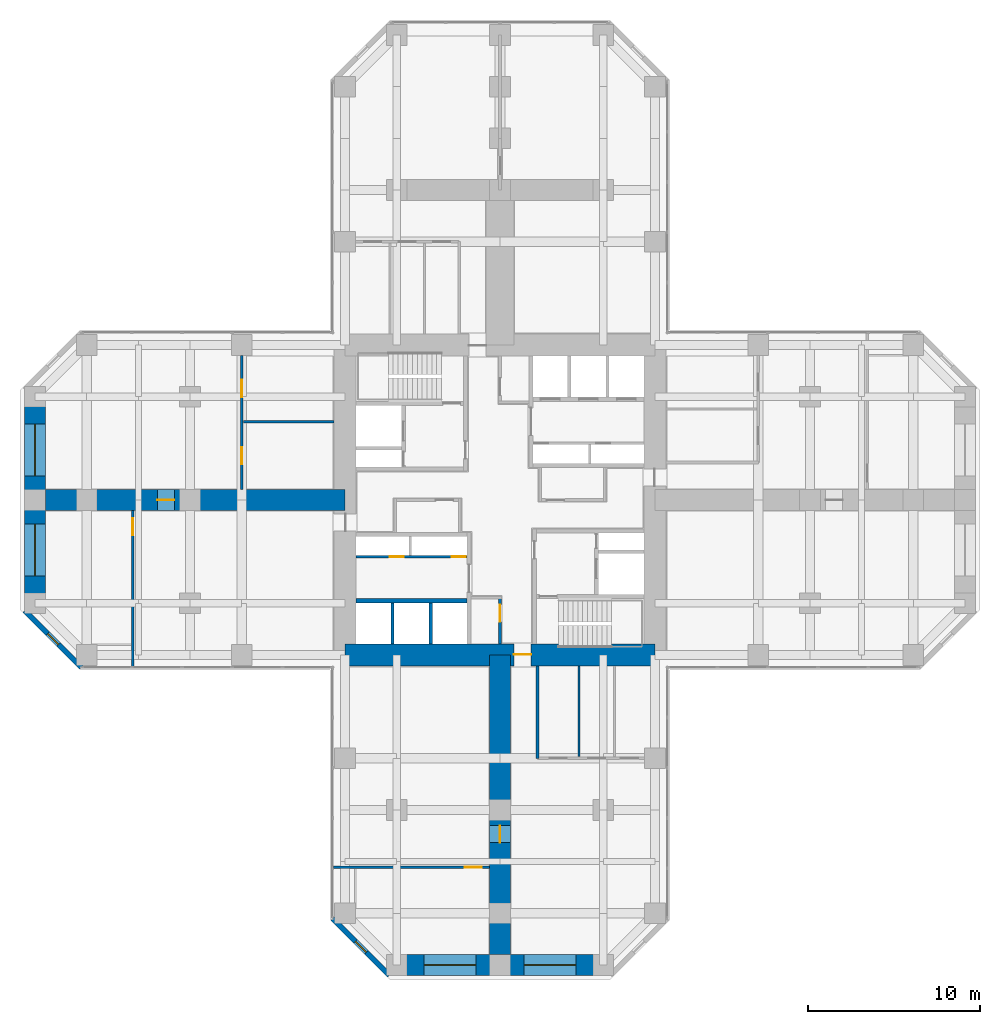
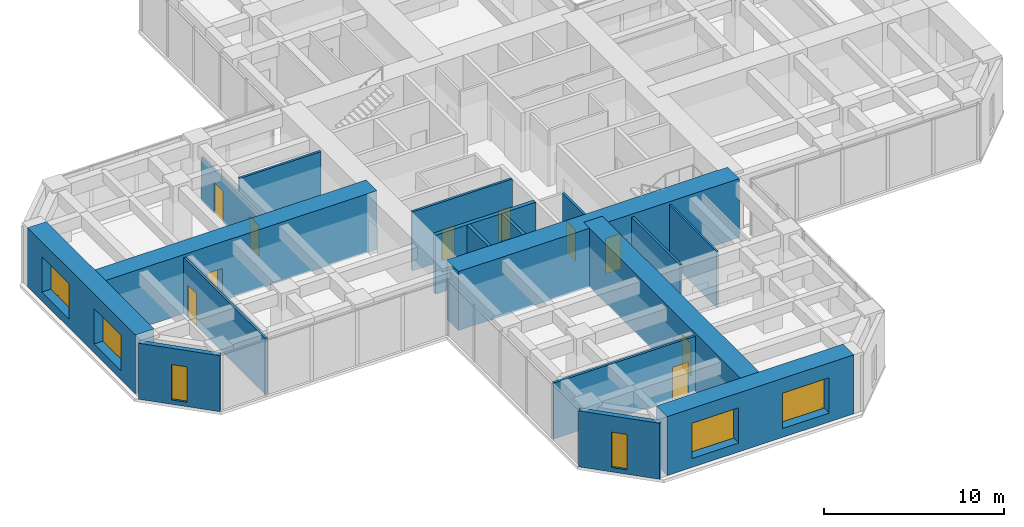
# One storey, part 8 of 12: 18 walls, 10 doors, 6 windows, 16 openings.
"""IFC4 building model written with IfcOpenShell, lengths in metres."""

from ifc_helpers import new_model, si_unit, direction, frame, frame_2d, origin, place, context, subcontext, project, spatial, rectangle, hollow_rectangle, extrude, material, layer, layer_set, constituent, constituent_set, type_object, element, fill, save


model = new_model("IFC4")

# Units and contexts
model_context = context("Model", 3, precision=1e-05, world=origin(), true_north=direction((0.0, 1.0)))
body_context = subcontext(model_context, "Body", "Model", "MODEL_VIEW")
ifc_project = project(units=[si_unit("LENGTHUNIT", "METRE"), si_unit("AREAUNIT", "SQUARE_METRE"), si_unit("VOLUMEUNIT", "CUBIC_METRE"), si_unit("PLANEANGLEUNIT", "RADIAN"), si_unit("MASSUNIT", "GRAM", prefix="KILO")], contexts=[model_context])

# Site, building, storey
site_placement = place(None, origin())
site = spatial("IfcSite", under=ifc_project, at=site_placement, CompositionType="ELEMENT")
building_placement = place(site_placement, origin())
building = spatial("IfcBuilding", under=site, at=building_placement, Name="Torre Cruceta", CompositionType="ELEMENT")
storey_placement = place(building_placement, frame((0.0, 0.0, 67.5)))
storey = spatial("IfcBuildingStorey", under=building, at=storey_placement, Name="L16", CompositionType="ELEMENT", Elevation=67.5)

# Wall
ifc_material_1 = material(Name="Concrete G60 (fck 60 MPa)", Category="concrete")
ifc_layer_1 = layer(ifc_material_1, 0.25)
ifc_layer_set_1 = layer_set([ifc_layer_1], Name="Concrete G60 (fck 60 MPa)")
wall_type_1 = type_object("IfcWallType", Name="CORE INNER WALL 250 G60", PredefinedType="SHEAR", material=ifc_layer_set_1)
wall_1_placement = place(storey_placement, frame((-1.925048828125, -5.85009765625, 0.0), z_axis=(0.0, 0.0, 1.0), x_axis=(-1.0, 0.0, 0.0)))
element("IfcWall", 1, at=wall_1_placement, inside=storey, type_object=wall_type_1, Name="CW4 L16 SW-LV", PredefinedType="SHEAR", context=body_context, shape_type="SweptSolid", body=[
    extrude(rectangle(XDim=6.425048828125, YDim=0.25, at=frame_2d((3.21240234375, 0.0))), origin(), (0.0, 0.0, 1.0), 4.0),
])

# Wall, opening, door
ifc_material_2 = material(Name="Concrete G60 (fck 60 MPa)", Category="concrete")
ifc_layer_2 = layer(ifc_material_2, 1.300048828125)
ifc_layer_set_2 = layer_set([ifc_layer_2], Name="Concrete G60 (fck 60 MPa)")
wall_type_2 = type_object("IfcWallType", Name="CORE WALL 1300 G60", PredefinedType="SHEAR", material=ifc_layer_set_2)
wall_2_placement = place(storey_placement, frame((-9.0, -9.0, 0.0), z_axis=(0.0, 0.0, 1.0), x_axis=(1.0, 0.0, 0.0)))
wall_2 = element("IfcWall", 2, at=wall_2_placement, inside=storey, type_object=wall_type_2, Name="CW1 L16 CW-S", PredefinedType="SHEAR", context=body_context, shape_type="SweptSolid", body=[
    extrude(rectangle(XDim=18.0, YDim=1.300048828125, at=frame_2d((9.0, 0.0))), origin(), (0.0, 0.0, 1.0), 4.0),
])
opening_1_placement = place(wall_2_placement, frame((9.800048828125, 0.0, 0.0)))
opening_1 = element("IfcOpeningElement", 3, at=opening_1_placement, cuts=wall_2, Name="Opening D4", PredefinedType="OPENING", context=body_context, shape_type="SweptSolid", body=[
    extrude(rectangle(XDim=1.0, YDim=2.39990234375, at=frame_2d((0.5, 1.199951171875))), frame((0.0, 0.659912109375, 0.0), z_axis=(0.0, -1.0, 0.0), x_axis=(1.0, 0.0, 0.0)), (0.0, 0.0, 1.0), 1.320068359375),
])
ifc_material_3 = material(Name="Steel DX51D", Category="steel")
ifc_constituent_1 = constituent(ifc_material_3, Name="Leaf and frame")
ifc_material_4 = material(Name="Polyester powder coating", Category="paint")
ifc_constituent_2 = constituent(ifc_material_4, Name="Finish")
ifc_constituent_set_1 = constituent_set(constituents=[ifc_constituent_1, ifc_constituent_2], Name="Steel fire door")
door_type_1 = type_object("IfcDoorType", Name="CORE ARM DOOR 1000X2400", OperationType="SINGLE_SWING_RIGHT", PredefinedType="DOOR", material=ifc_constituent_set_1)
door_1_placement = place(opening_1_placement, frame((1.0, 0.0, 0.0), z_axis=(0.0, 0.0, 1.0), x_axis=(-1.0, 0.0, 0.0)))
door_1 = element("IfcDoor", 4, at=door_1_placement, inside=storey, type_object=door_type_1, Name="D4 L16 CW-S", OperationType="SINGLE_SWING_RIGHT", OverallHeight=2.39990234375, OverallWidth=1.0, PredefinedType="DOOR", context=body_context, shape_type="SweptSolid", body=[
    extrude(rectangle(XDim=1.0, YDim=2.39990234375, at=frame_2d((0.5, 1.199951171875))), frame((0.0, -0.005126953125, 0.0), z_axis=(0.0, -1.0, 0.0), x_axis=(1.0, 0.0, 0.0)), (0.0, 0.0, 1.0), 0.050048828125),
])
fill(opening_1, door_1)

# Wall, opening, window
ifc_material_5 = material(Name="Concrete G30 (fck 30 MPa)", Category="concrete")
ifc_layer_3 = layer(ifc_material_5, 0.300048828125)
ifc_layer_set_3 = layer_set([ifc_layer_3], Name="Concrete G30 (fck 30 MPa)")
wall_type_3 = type_object("IfcWallType", Name="EXPOSED CONCRETE FACADE WALL 300", PredefinedType="SOLIDWALL", material=ifc_layer_set_3)
wall_3_placement = place(storey_placement, frame((-27.60009765625, -6.418212890625, 0.0), z_axis=(0.0, 0.0, 1.0), x_axis=(0.707106781187, -0.707106781187, 0.0)))
wall_3 = element("IfcWall", 5, at=wall_3_placement, inside=storey, type_object=wall_type_3, Name="EW1 facade wall L16 W chamfer 13", PredefinedType="SOLIDWALL", context=body_context, shape_type="SweptSolid", body=[
    extrude(rectangle(XDim=4.66943359375, YDim=0.300048828125, at=frame_2d((2.334716796875, 0.0))), origin(), (0.0, 0.0, 1.0), 3.800048828125),
])
opening_2_placement = place(wall_3_placement, frame((1.884765625, 0.0, 0.300048828125)))
opening_2 = element("IfcOpeningElement", 6, at=opening_2_placement, cuts=wall_3, Name="Opening WN5", PredefinedType="OPENING", context=body_context, shape_type="SweptSolid", body=[
    extrude(rectangle(XDim=0.89990234375, YDim=2.39990234375, at=frame_2d((0.449951171875, 1.199951171875))), frame((0.0, 0.159912109375, 0.0), z_axis=(0.0, -1.0, 0.0), x_axis=(1.0, 0.0, 0.0)), (0.0, 0.0, 1.0), 0.320068359375),
])
ifc_material_6 = material(Name="Aluminium window frame", Category="aluminium")
ifc_constituent_3 = constituent(ifc_material_6, Name="Frame")
ifc_material_7 = material(Name="Laminated insulating glass unit, low-iron clear", Category="glass")
ifc_constituent_4 = constituent(ifc_material_7, Name="Glazing")
ifc_constituent_set_2 = constituent_set(constituents=[ifc_constituent_3, ifc_constituent_4], Name="Aluminium window")
window_type_1 = type_object("IfcWindowType", Name="CHAMFER SLOT WINDOW 900X2400", PartitioningType="SINGLE_PANEL", PredefinedType="WINDOW", material=ifc_constituent_set_2)
window_1_placement = place(opening_2_placement, origin())
window_1 = element("IfcWindow", 7, at=window_1_placement, inside=storey, type_object=window_type_1, Name="WN5 L16 W 1", OverallHeight=2.39990234375, OverallWidth=0.89990234375, PartitioningType="SINGLE_PANEL", PredefinedType="WINDOW", context=body_context, shape_type="SweptSolid", body=[
    extrude(hollow_rectangle(XDim=0.89990234375, YDim=2.39990234375, WallThickness=0.06005859375, at=frame_2d((0.449951171875, 1.199951171875))), frame((0.0, 0.030029296875, 0.0), z_axis=(0.0, -1.0, 0.0), x_axis=(1.0, 0.0, 0.0)), (0.0, 0.0, 1.0), 0.06005859375),
    extrude(rectangle(XDim=0.77880859375, YDim=2.27880859375, at=frame_2d((0.449951171875, 1.199951171875))), frame((0.0, 0.030029296875, 0.0), z_axis=(0.0, -1.0, 0.0), x_axis=(1.0, 0.0, 0.0)), (0.0, 0.0, 1.0), 0.06005859375),
])
fill(opening_2, window_1)

wall_4_placement = place(storey_placement, frame((-9.719970703125, -24.29833984375, 0.0), z_axis=(0.0, 0.0, 1.0), x_axis=(0.707106781187, -0.707106781187, 0.0)))
wall_4 = element("IfcWall", 8, at=wall_4_placement, inside=storey, type_object=wall_type_3, Name="EW1 facade wall L16 S chamfer 16", PredefinedType="SOLIDWALL", context=body_context, shape_type="SweptSolid", body=[
    extrude(rectangle(XDim=4.66943359375, YDim=0.300048828125, at=frame_2d((2.334716796875, 0.0))), origin(), (0.0, 0.0, 1.0), 3.800048828125),
])
opening_3_placement = place(wall_4_placement, frame((1.884765625, 0.0, 0.300048828125)))
opening_3 = element("IfcOpeningElement", 9, at=opening_3_placement, cuts=wall_4, Name="Opening WN5", PredefinedType="OPENING", context=body_context, shape_type="SweptSolid", body=[
    extrude(rectangle(XDim=0.89990234375, YDim=2.39990234375, at=frame_2d((0.449951171875, 1.199951171875))), frame((0.0, 0.159912109375, 0.0), z_axis=(0.0, -1.0, 0.0), x_axis=(1.0, 0.0, 0.0)), (0.0, 0.0, 1.0), 0.320068359375),
])
window_2_placement = place(opening_3_placement, origin())
window_2 = element("IfcWindow", 10, at=window_2_placement, inside=storey, type_object=window_type_1, Name="WN5 L16 S 1", OverallHeight=2.39990234375, OverallWidth=0.89990234375, PartitioningType="SINGLE_PANEL", PredefinedType="WINDOW", context=body_context, shape_type="SweptSolid", body=[
    extrude(hollow_rectangle(XDim=0.89990234375, YDim=2.39990234375, WallThickness=0.06005859375, at=frame_2d((0.449951171875, 1.199951171875))), frame((0.0, 0.030029296875, 0.0), z_axis=(0.0, -1.0, 0.0), x_axis=(1.0, 0.0, 0.0)), (0.0, 0.0, 1.0), 0.06005859375),
    extrude(rectangle(XDim=0.77880859375, YDim=2.27880859375, at=frame_2d((0.449951171875, 1.199951171875))), frame((0.0, 0.030029296875, 0.0), z_axis=(0.0, -1.0, 0.0), x_axis=(1.0, 0.0, 0.0)), (0.0, 0.0, 1.0), 0.06005859375),
])
fill(opening_3, window_2)

# Walls
ifc_material_8 = material(Name="Concrete G35 (fck 35 MPa)", Category="concrete")
ifc_layer_4 = layer(ifc_material_8, 0.199951171875)
ifc_layer_set_4 = layer_set([ifc_layer_4], Name="Concrete G35 (fck 35 MPa)")
wall_type_4 = type_object("IfcWallType", Name="LIFT SHAFT WALL 200", PredefinedType="PARTITIONING", material=ifc_layer_set_4)
for number, where, z_axis, x_axis, name in (
    (11, (-4.033447265625, -5.97509765625, 0.0), (0.0, 0.0, 1.0), (0.0, -1.0, 0.0), "SW1 L16 SW-LS1"),
    (12, (-6.24169921875, -5.97509765625, 0.0), (0.0, 0.0, 1.0), (0.0, -1.0, 0.0), "SW1 L16 SW-LS2"),
):
    element("IfcWall", number, at=place(storey_placement, frame(where, z_axis=z_axis, x_axis=x_axis)), inside=storey, type_object=wall_type_4, Name=name, PredefinedType="PARTITIONING", context=body_context, shape_type="SweptSolid", body=[
        extrude(rectangle(XDim=2.375, YDim=0.199951171875, at=frame_2d((1.1875, 0.0))), origin(), (0.0, 0.0, 1.0), 4.0),
    ])

# Wall, openings, windows
ifc_material_9 = material(Name="Concrete G60 (fck 60 MPa)", Category="concrete")
ifc_layer_5 = layer(ifc_material_9, 1.199951171875)
ifc_layer_set_5 = layer_set([ifc_layer_5], Name="Concrete G60 (fck 60 MPa)")
wall_type_5 = type_object("IfcWallType", Name="NOSE WALL 1200 G60", PredefinedType="SHEAR", material=ifc_layer_set_5)
wall_5_placement = place(storey_placement, frame((-6.0, -27.0, 0.0), z_axis=(0.0, 0.0, 1.0), x_axis=(1.0, 0.0, 0.0)))
wall_5 = element("IfcWall", 13, at=wall_5_placement, inside=storey, type_object=wall_type_5, Name="NW1 nose wall L16 S", PredefinedType="SHEAR", context=body_context, shape_type="SweptSolid", body=[
    extrude(rectangle(XDim=12.0, YDim=1.199951171875, at=frame_2d((6.0, 0.0))), origin(), (0.0, 0.0, 1.0), 4.0),
])
opening_4_placement = place(wall_5_placement, frame((1.60009765625, 0.0, 0.60009765625)))
opening_4 = element("IfcOpeningElement", 14, at=opening_4_placement, cuts=wall_5, Name="Opening WN6", PredefinedType="OPENING", context=body_context, shape_type="SweptSolid", body=[
    extrude(rectangle(XDim=3.0, YDim=2.39990234375, at=frame_2d((1.5, 1.199951171875))), frame((0.0, 0.60986328125, 0.0), z_axis=(0.0, -1.0, 0.0), x_axis=(1.0, 0.0, 0.0)), (0.0, 0.0, 1.0), 1.219970703125),
])
opening_5_placement = place(wall_5_placement, frame((7.39990234375, 0.0, 0.60009765625)))
opening_5 = element("IfcOpeningElement", 15, at=opening_5_placement, cuts=wall_5, Name="Opening WN6", PredefinedType="OPENING", context=body_context, shape_type="SweptSolid", body=[
    extrude(rectangle(XDim=3.0, YDim=2.39990234375, at=frame_2d((1.5, 1.199951171875))), frame((0.0, 0.60986328125, 0.0), z_axis=(0.0, -1.0, 0.0), x_axis=(1.0, 0.0, 0.0)), (0.0, 0.0, 1.0), 1.219970703125),
])
ifc_material_10 = material(Name="Aluminium window frame", Category="aluminium")
ifc_constituent_5 = constituent(ifc_material_10, Name="Frame")
ifc_material_11 = material(Name="Laminated insulating glass unit, low-iron clear", Category="glass")
ifc_constituent_6 = constituent(ifc_material_11, Name="Glazing")
ifc_constituent_set_3 = constituent_set(constituents=[ifc_constituent_5, ifc_constituent_6], Name="Aluminium window")
window_type_2 = type_object("IfcWindowType", Name="NOSE WALL WINDOW 3000X2400", PartitioningType="SINGLE_PANEL", PredefinedType="WINDOW", material=ifc_constituent_set_3)
window_3_placement = place(opening_4_placement, origin())
window_3 = element("IfcWindow", 16, at=window_3_placement, inside=storey, type_object=window_type_2, Name="WN6 L16 S 1", OverallHeight=2.39990234375, OverallWidth=3.0, PartitioningType="SINGLE_PANEL", PredefinedType="WINDOW", context=body_context, shape_type="SweptSolid", body=[
    extrude(hollow_rectangle(XDim=3.0, YDim=2.39990234375, WallThickness=0.06005859375, at=frame_2d((1.5, 1.199951171875))), frame((0.0, 0.030029296875, 0.0), z_axis=(0.0, -1.0, 0.0), x_axis=(1.0, 0.0, 0.0)), (0.0, 0.0, 1.0), 0.06005859375),
    extrude(rectangle(XDim=2.87890625, YDim=2.27880859375, at=frame_2d((1.5, 1.199951171875))), frame((0.0, 0.030029296875, 0.0), z_axis=(0.0, -1.0, 0.0), x_axis=(1.0, 0.0, 0.0)), (0.0, 0.0, 1.0), 0.06005859375),
])
fill(opening_4, window_3)
window_4_placement = place(opening_5_placement, origin())
window_4 = element("IfcWindow", 17, at=window_4_placement, inside=storey, type_object=window_type_2, Name="WN6 L16 S 2", OverallHeight=2.39990234375, OverallWidth=3.0, PartitioningType="SINGLE_PANEL", PredefinedType="WINDOW", context=body_context, shape_type="SweptSolid", body=[
    extrude(hollow_rectangle(XDim=3.0, YDim=2.39990234375, WallThickness=0.06005859375, at=frame_2d((1.5, 1.199951171875))), frame((0.0, 0.030029296875, 0.0), z_axis=(0.0, -1.0, 0.0), x_axis=(1.0, 0.0, 0.0)), (0.0, 0.0, 1.0), 0.06005859375),
    extrude(rectangle(XDim=2.87890625, YDim=2.27880859375, at=frame_2d((1.5, 1.199951171875))), frame((0.0, 0.030029296875, 0.0), z_axis=(0.0, -1.0, 0.0), x_axis=(1.0, 0.0, 0.0)), (0.0, 0.0, 1.0), 0.06005859375),
])
fill(opening_5, window_4)

wall_6_placement = place(storey_placement, frame((-27.0, 6.0, 0.0), z_axis=(0.0, 0.0, 1.0), x_axis=(0.0, -1.0, 0.0)))
wall_6 = element("IfcWall", 18, at=wall_6_placement, inside=storey, type_object=wall_type_5, Name="NW1 nose wall L16 W", PredefinedType="SHEAR", context=body_context, shape_type="SweptSolid", body=[
    extrude(rectangle(XDim=12.0, YDim=1.199951171875, at=frame_2d((6.0, 0.0))), origin(), (0.0, 0.0, 1.0), 4.0),
])
opening_6_placement = place(wall_6_placement, frame((1.60009765625, 0.0, 0.60009765625)))
opening_6 = element("IfcOpeningElement", 19, at=opening_6_placement, cuts=wall_6, Name="Opening WN6", PredefinedType="OPENING", context=body_context, shape_type="SweptSolid", body=[
    extrude(rectangle(XDim=3.0, YDim=2.39990234375, at=frame_2d((1.5, 1.199951171875))), frame((0.0, 0.60986328125, 0.0), z_axis=(0.0, -1.0, 0.0), x_axis=(1.0, 0.0, 0.0)), (0.0, 0.0, 1.0), 1.219970703125),
])
opening_7_placement = place(wall_6_placement, frame((7.39990234375, 0.0, 0.60009765625)))
opening_7 = element("IfcOpeningElement", 20, at=opening_7_placement, cuts=wall_6, Name="Opening WN6", PredefinedType="OPENING", context=body_context, shape_type="SweptSolid", body=[
    extrude(rectangle(XDim=3.0, YDim=2.39990234375, at=frame_2d((1.5, 1.199951171875))), frame((0.0, 0.60986328125, 0.0), z_axis=(0.0, -1.0, 0.0), x_axis=(1.0, 0.0, 0.0)), (0.0, 0.0, 1.0), 1.219970703125),
])
window_5_placement = place(opening_6_placement, origin())
window_5 = element("IfcWindow", 21, at=window_5_placement, inside=storey, type_object=window_type_2, Name="WN6 L16 W 1", OverallHeight=2.39990234375, OverallWidth=3.0, PartitioningType="SINGLE_PANEL", PredefinedType="WINDOW", context=body_context, shape_type="SweptSolid", body=[
    extrude(hollow_rectangle(XDim=3.0, YDim=2.39990234375, WallThickness=0.06005859375, at=frame_2d((1.5, 1.199951171875))), frame((0.0, 0.030029296875, 0.0), z_axis=(0.0, -1.0, 0.0), x_axis=(1.0, 0.0, 0.0)), (0.0, 0.0, 1.0), 0.06005859375),
    extrude(rectangle(XDim=2.87890625, YDim=2.27880859375, at=frame_2d((1.5, 1.199951171875))), frame((0.0, 0.030029296875, 0.0), z_axis=(0.0, -1.0, 0.0), x_axis=(1.0, 0.0, 0.0)), (0.0, 0.0, 1.0), 0.06005859375),
])
fill(opening_6, window_5)
window_6_placement = place(opening_7_placement, origin())
window_6 = element("IfcWindow", 22, at=window_6_placement, inside=storey, type_object=window_type_2, Name="WN6 L16 W 2", OverallHeight=2.39990234375, OverallWidth=3.0, PartitioningType="SINGLE_PANEL", PredefinedType="WINDOW", context=body_context, shape_type="SweptSolid", body=[
    extrude(hollow_rectangle(XDim=3.0, YDim=2.39990234375, WallThickness=0.06005859375, at=frame_2d((1.5, 1.199951171875))), frame((0.0, 0.030029296875, 0.0), z_axis=(0.0, -1.0, 0.0), x_axis=(1.0, 0.0, 0.0)), (0.0, 0.0, 1.0), 0.06005859375),
    extrude(rectangle(XDim=2.87890625, YDim=2.27880859375, at=frame_2d((1.5, 1.199951171875))), frame((0.0, 0.030029296875, 0.0), z_axis=(0.0, -1.0, 0.0), x_axis=(1.0, 0.0, 0.0)), (0.0, 0.0, 1.0), 0.06005859375),
])
fill(opening_7, window_6)

# Wall, opening, door
ifc_material_12 = material(Name="Plasterboard on steel studs", Category="steel")
ifc_layer_6 = layer(ifc_material_12, 0.14990234375)
ifc_layer_set_6 = layer_set([ifc_layer_6], Name="Plasterboard on steel studs")
wall_type_6 = type_object("IfcWallType", Name="PARTITION 150", PredefinedType="PARTITIONING", material=ifc_layer_set_6)
wall_7_placement = place(storey_placement, frame((0.0, -5.675048828125, 0.0), z_axis=(0.0, 0.0, 1.0), x_axis=(0.0, -1.0, 0.0)))
wall_7 = element("IfcWall", 23, at=wall_7_placement, inside=storey, type_object=wall_type_6, Name="PT1 L16-CORE-LEGS-W-W1", PredefinedType="PARTITIONING", context=body_context, shape_type="SweptSolid", body=[
    extrude(rectangle(XDim=2.675048828125, YDim=0.14990234375, at=frame_2d((1.33740234375, 0.0))), origin(), (0.0, 0.0, 1.0), 3.800048828125),
])
opening_8_placement = place(wall_7_placement, frame((0.39990234375, 0.0, 0.0)))
opening_8 = element("IfcOpeningElement", 24, at=opening_8_placement, cuts=wall_7, Name="Opening D3", PredefinedType="OPENING", context=body_context, shape_type="SweptSolid", body=[
    extrude(rectangle(XDim=1.0, YDim=2.10009765625, at=frame_2d((0.5, 1.050048828125))), frame((0.0, 0.0849609375, 0.0), z_axis=(0.0, -1.0, 0.0), x_axis=(1.0, 0.0, 0.0)), (0.0, 0.0, 1.0), 0.169921875),
])
ifc_material_13 = material(Name="Steel DX51D", Category="steel")
ifc_constituent_7 = constituent(ifc_material_13, Name="Leaf and frame")
ifc_material_14 = material(Name="Polyester powder coating", Category="paint")
ifc_constituent_8 = constituent(ifc_material_14, Name="Finish")
ifc_constituent_set_4 = constituent_set(constituents=[ifc_constituent_7, ifc_constituent_8], Name="Steel fire door")
door_type_2 = type_object("IfcDoorType", Name="FIRE DOOR 1000X2100", OperationType="SINGLE_SWING_LEFT", PredefinedType="DOOR", material=ifc_constituent_set_4)
door_2_placement = place(opening_8_placement, frame((1.0, 0.0, 0.0), z_axis=(0.0, 0.0, 1.0), x_axis=(-1.0, 0.0, 0.0)))
door_2 = element("IfcDoor", 25, at=door_2_placement, inside=storey, type_object=door_type_2, Name="D3 L16-CORE-LEGS-W-W1-D1", OperationType="SINGLE_SWING_RIGHT", OverallHeight=2.10009765625, OverallWidth=1.0, PredefinedType="DOOR", context=body_context, shape_type="SweptSolid", body=[
    extrude(rectangle(XDim=1.0, YDim=2.10009765625, at=frame_2d((0.5, 1.050048828125))), frame((0.0, 0.025146484375, 0.0), z_axis=(0.0, -1.0, 0.0), x_axis=(1.0, 0.0, 0.0)), (0.0, 0.0, 1.0), 0.050048828125),
])
fill(opening_8, door_2)

# Wall
wall_8_placement = place(storey_placement, frame((2.175048828125, -9.64990234375, 0.0), z_axis=(0.0, 0.0, 1.0), x_axis=(0.0, -1.0, 0.0)))
element("IfcWall", 26, at=wall_8_placement, inside=storey, type_object=wall_type_6, Name="PT1 L16-S-BSL", PredefinedType="PARTITIONING", context=body_context, shape_type="SweptSolid", body=[
    extrude(rectangle(XDim=5.35009765625, YDim=0.14990234375, at=frame_2d((2.675048828125, 0.0))), origin(), (0.0, 0.0, 1.0), 3.800048828125),
])

# Wall, opening, door
wall_9_placement = place(storey_placement, frame((-9.679931640625, -21.320068359375, 0.0), z_axis=(0.0, 0.0, 1.0), x_axis=(1.0, 0.0, 0.0)))
wall_9 = element("IfcWall", 27, at=wall_9_placement, inside=storey, type_object=wall_type_6, Name="PT1 L16-S-TWR", PredefinedType="PARTITIONING", context=body_context, shape_type="SweptSolid", body=[
    extrude(rectangle(XDim=9.079833984375, YDim=0.14990234375, at=frame_2d((4.5400390625, 0.0))), origin(), (0.0, 0.0, 1.0), 3.800048828125),
])
opening_9_placement = place(wall_9_placement, frame((7.6298828125, 0.0, 0.0)))
opening_9 = element("IfcOpeningElement", 28, at=opening_9_placement, cuts=wall_9, Name="Opening D14", PredefinedType="OPENING", context=body_context, shape_type="SweptSolid", body=[
    extrude(rectangle(XDim=1.0, YDim=2.199951171875, at=frame_2d((0.5, 1.10009765625))), frame((0.0, 0.0849609375, 0.0), z_axis=(0.0, -1.0, 0.0), x_axis=(1.0, 0.0, 0.0)), (0.0, 0.0, 1.0), 0.169921875),
])
ifc_material_15 = material(Name="Steel DX51D", Category="steel")
ifc_constituent_9 = constituent(ifc_material_15, Name="Leaf and frame")
ifc_material_16 = material(Name="Polyester powder coating", Category="paint")
ifc_constituent_10 = constituent(ifc_material_16, Name="Finish")
ifc_material_17 = material(Name="Fire-resisting glass", Category="glass")
ifc_constituent_11 = constituent(ifc_material_17, Name="Vision panel")
ifc_constituent_set_5 = constituent_set(constituents=[ifc_constituent_9, ifc_constituent_10, ifc_constituent_11], Name="Steel fire door with vision panel")
door_type_3 = type_object("IfcDoorType", Name="FIRE DOOR VISION PANEL 1000X2200", OperationType="SINGLE_SWING_RIGHT", PredefinedType="DOOR", material=ifc_constituent_set_5)
door_3_placement = place(opening_9_placement, frame((1.0, 0.0, 0.0), z_axis=(0.0, 0.0, 1.0), x_axis=(-1.0, 0.0, 0.0)))
door_3 = element("IfcDoor", 29, at=door_3_placement, inside=storey, type_object=door_type_3, Name="D14 L16-S-TWR-D1", OperationType="SINGLE_SWING_LEFT", OverallHeight=2.199951171875, OverallWidth=1.0, PredefinedType="DOOR", context=body_context, shape_type="SweptSolid", body=[
    extrude(rectangle(XDim=1.0, YDim=2.199951171875, at=frame_2d((0.5, 1.10009765625))), frame((0.0, 0.025146484375, 0.0), z_axis=(0.0, -1.0, 0.0), x_axis=(1.0, 0.0, 0.0)), (0.0, 0.0, 1.0), 0.050048828125),
])
fill(opening_9, door_3)

# Wall, openings, doors
wall_10_placement = place(storey_placement, frame((-15.0, 8.39990234375, 0.0), z_axis=(0.0, 0.0, 1.0), x_axis=(0.0, -1.0, 0.0)))
wall_10 = element("IfcWall", 30, at=wall_10_placement, inside=storey, type_object=wall_type_6, Name="PT1 L16-W-BFR", PredefinedType="PARTITIONING", context=body_context, shape_type="SweptSolid", body=[
    extrude(rectangle(XDim=7.7998046875, YDim=0.14990234375, at=frame_2d((3.89990234375, 0.0))), origin(), (0.0, 0.0, 1.0), 2.949951171875),
])
opening_10_placement = place(wall_10_placement, frame((1.425048828125, 0.0, 0.0)))
opening_10 = element("IfcOpeningElement", 31, at=opening_10_placement, cuts=wall_10, Name="Opening D3", PredefinedType="OPENING", context=body_context, shape_type="SweptSolid", body=[
    extrude(rectangle(XDim=1.0, YDim=2.10009765625, at=frame_2d((0.5, 1.050048828125))), frame((0.0, 0.0849609375, 0.0), z_axis=(0.0, -1.0, 0.0), x_axis=(1.0, 0.0, 0.0)), (0.0, 0.0, 1.0), 0.169921875),
])
opening_11_placement = place(wall_10_placement, frame((5.324951171875, 0.0, 0.0)))
opening_11 = element("IfcOpeningElement", 32, at=opening_11_placement, cuts=wall_10, Name="Opening D3", PredefinedType="OPENING", context=body_context, shape_type="SweptSolid", body=[
    extrude(rectangle(XDim=1.0, YDim=2.10009765625, at=frame_2d((0.5, 1.050048828125))), frame((0.0, 0.0849609375, 0.0), z_axis=(0.0, -1.0, 0.0), x_axis=(1.0, 0.0, 0.0)), (0.0, 0.0, 1.0), 0.169921875),
])
door_4_placement = place(opening_10_placement, origin())
door_4 = element("IfcDoor", 33, at=door_4_placement, inside=storey, type_object=door_type_2, Name="D3 L16-W-BFR-D1", OperationType="SINGLE_SWING_RIGHT", OverallHeight=2.10009765625, OverallWidth=1.0, PredefinedType="DOOR", context=body_context, shape_type="SweptSolid", body=[
    extrude(rectangle(XDim=1.0, YDim=2.10009765625, at=frame_2d((0.5, 1.050048828125))), frame((0.0, 0.02490234375, 0.0), z_axis=(0.0, -1.0, 0.0), x_axis=(1.0, 0.0, 0.0)), (0.0, 0.0, 1.0), 0.050048828125),
])
fill(opening_10, door_4)
door_5_placement = place(opening_11_placement, origin())
door_5 = element("IfcDoor", 34, at=door_5_placement, inside=storey, type_object=door_type_2, Name="D3 L16-W-BFR-D2", OperationType="SINGLE_SWING_LEFT", OverallHeight=2.10009765625, OverallWidth=1.0, PredefinedType="DOOR", context=body_context, shape_type="SweptSolid", body=[
    extrude(rectangle(XDim=1.0, YDim=2.10009765625, at=frame_2d((0.5, 1.050048828125))), frame((0.0, 0.02490234375, 0.0), z_axis=(0.0, -1.0, 0.0), x_axis=(1.0, 0.0, 0.0)), (0.0, 0.0, 1.0), 0.050048828125),
])
fill(opening_11, door_5)

# Wall
wall_11_placement = place(storey_placement, frame((-9.64990234375, 4.550048828125, 0.0), z_axis=(0.0, 0.0, 1.0), x_axis=(-1.0, 0.0, 0.0)))
element("IfcWall", 35, at=wall_11_placement, inside=storey, type_object=wall_type_6, Name="PT1 L16-W-BDR1", PredefinedType="PARTITIONING", context=body_context, shape_type="SweptSolid", body=[
    extrude(rectangle(XDim=5.25, YDim=0.14990234375, at=frame_2d((2.625, 0.0))), origin(), (0.0, 0.0, 1.0), 3.800048828125),
])

# Wall, opening, door
wall_12_placement = place(storey_placement, frame((-21.320068359375, -0.60009765625, 0.0), z_axis=(0.0, 0.0, 1.0), x_axis=(0.0, -1.0, 0.0)))
wall_12 = element("IfcWall", 36, at=wall_12_placement, inside=storey, type_object=wall_type_6, Name="PT1 L16-W-TWL", PredefinedType="PARTITIONING", context=body_context, shape_type="SweptSolid", body=[
    extrude(rectangle(XDim=9.079833984375, YDim=0.14990234375, at=frame_2d((4.5400390625, 0.0))), origin(), (0.0, 0.0, 1.0), 3.800048828125),
])
opening_12_placement = place(wall_12_placement, frame((0.449951171875, 0.0, 0.0)))
opening_12 = element("IfcOpeningElement", 37, at=opening_12_placement, cuts=wall_12, Name="Opening D14", PredefinedType="OPENING", context=body_context, shape_type="SweptSolid", body=[
    extrude(rectangle(XDim=1.0, YDim=2.199951171875, at=frame_2d((0.5, 1.10009765625))), frame((0.0, 0.0849609375, 0.0), z_axis=(0.0, -1.0, 0.0), x_axis=(1.0, 0.0, 0.0)), (0.0, 0.0, 1.0), 0.169921875),
])
door_6_placement = place(opening_12_placement, frame((1.0, 0.0, 0.0), z_axis=(0.0, 0.0, 1.0), x_axis=(-1.0, 0.0, 0.0)))
door_6 = element("IfcDoor", 38, at=door_6_placement, inside=storey, type_object=door_type_3, Name="D14 L16-W-TWL-D1", OperationType="SINGLE_SWING_RIGHT", OverallHeight=2.199951171875, OverallWidth=1.0, PredefinedType="DOOR", context=body_context, shape_type="SweptSolid", body=[
    extrude(rectangle(XDim=1.0, YDim=2.199951171875, at=frame_2d((0.5, 1.10009765625))), frame((0.0, 0.025146484375, 0.0), z_axis=(0.0, -1.0, 0.0), x_axis=(1.0, 0.0, 0.0)), (0.0, 0.0, 1.0), 0.050048828125),
])
fill(opening_12, door_6)

# Wall, openings, doors
ifc_material_18 = material(Name="Concrete block masonry", Category="masonry")
ifc_layer_7 = layer(ifc_material_18, 0.14990234375)
ifc_layer_set_7 = layer_set([ifc_layer_7], Name="Concrete block masonry")
wall_type_7 = type_object("IfcWallType", Name="RISER WALL 150", PredefinedType="PARTITIONING", material=ifc_layer_set_7)
wall_13_placement = place(storey_placement, frame((-1.925048828125, -3.300048828125, 0.0), z_axis=(0.0, 0.0, 1.0), x_axis=(-1.0, 0.0, 0.0)))
wall_13 = element("IfcWall", 39, at=wall_13_placement, inside=storey, type_object=wall_type_7, Name="SW7 L16 SW-RV", PredefinedType="PARTITIONING", context=body_context, shape_type="SweptSolid", body=[
    extrude(rectangle(XDim=6.425048828125, YDim=0.14990234375, at=frame_2d((3.21240234375, 0.0))), origin(), (0.0, 0.0, 1.0), 4.0),
])
opening_13_placement = place(wall_13_placement, frame((0.074951171875, 0.0, 0.0)))
opening_13 = element("IfcOpeningElement", 40, at=opening_13_placement, cuts=wall_13, Name="Opening D5", PredefinedType="OPENING", context=body_context, shape_type="SweptSolid", body=[
    extrude(rectangle(XDim=0.800048828125, YDim=2.10009765625, at=frame_2d((0.39990234375, 1.050048828125))), frame((0.0, 0.0849609375, 0.0), z_axis=(0.0, -1.0, 0.0), x_axis=(1.0, 0.0, 0.0)), (0.0, 0.0, 1.0), 0.169921875),
])
opening_14_placement = place(wall_13_placement, frame((3.675048828125, 0.0, 0.0)))
opening_14 = element("IfcOpeningElement", 41, at=opening_14_placement, cuts=wall_13, Name="Opening D5", PredefinedType="OPENING", context=body_context, shape_type="SweptSolid", body=[
    extrude(rectangle(XDim=0.800048828125, YDim=2.10009765625, at=frame_2d((0.39990234375, 1.050048828125))), frame((0.0, 0.0849609375, 0.0), z_axis=(0.0, -1.0, 0.0), x_axis=(1.0, 0.0, 0.0)), (0.0, 0.0, 1.0), 0.169921875),
])
ifc_material_19 = material(Name="Steel DX51D", Category="steel")
ifc_constituent_12 = constituent(ifc_material_19, Name="Leaf and frame")
ifc_material_20 = material(Name="Polyester powder coating", Category="paint")
ifc_constituent_13 = constituent(ifc_material_20, Name="Finish")
ifc_constituent_set_6 = constituent_set(constituents=[ifc_constituent_12, ifc_constituent_13], Name="Steel fire door")
door_type_4 = type_object("IfcDoorType", Name="RISER ACCESS DOOR 800X2100", OperationType="SINGLE_SWING_LEFT", PredefinedType="DOOR", material=ifc_constituent_set_6)
door_7_placement = place(opening_13_placement, frame((0.800048828125, 0.0, 0.0), z_axis=(0.0, 0.0, 1.0), x_axis=(-1.0, 0.0, 0.0)))
door_7 = element("IfcDoor", 42, at=door_7_placement, inside=storey, type_object=door_type_4, Name="D5 L16 SW-RISER1", OperationType="SINGLE_SWING_RIGHT", OverallHeight=2.10009765625, OverallWidth=0.800048828125, PredefinedType="DOOR", context=body_context, shape_type="SweptSolid", body=[
    extrude(rectangle(XDim=0.800048828125, YDim=2.10009765625, at=frame_2d((0.400146484375, 1.050048828125))), frame((0.0, 0.025146484375, 0.0), z_axis=(0.0, -1.0, 0.0), x_axis=(1.0, 0.0, 0.0)), (0.0, 0.0, 1.0), 0.050048828125),
])
fill(opening_13, door_7)
door_8_placement = place(opening_14_placement, frame((0.800048828125, 0.0, 0.0), z_axis=(0.0, 0.0, 1.0), x_axis=(-1.0, 0.0, 0.0)))
door_8 = element("IfcDoor", 43, at=door_8_placement, inside=storey, type_object=door_type_4, Name="D5 L16 SW-RISER2", OperationType="SINGLE_SWING_RIGHT", OverallHeight=2.10009765625, OverallWidth=0.800048828125, PredefinedType="DOOR", context=body_context, shape_type="SweptSolid", body=[
    extrude(rectangle(XDim=0.800048828125, YDim=2.10009765625, at=frame_2d((0.400146484375, 1.050048828125))), frame((0.0, 0.025146484375, 0.0), z_axis=(0.0, -1.0, 0.0), x_axis=(1.0, 0.0, 0.0)), (0.0, 0.0, 1.0), 0.050048828125),
])
fill(opening_14, door_8)

# Wall, opening, door
ifc_material_21 = material(Name="Concrete G60 (fck 60 MPa)", Category="concrete")
ifc_layer_8 = layer(ifc_material_21, 1.199951171875)
ifc_layer_set_8 = layer_set([ifc_layer_8], Name="Concrete G60 (fck 60 MPa)")
wall_type_8 = type_object("IfcWallType", Name="SPINE WALL 1200 G60", PredefinedType="SHEAR", material=ifc_layer_set_8)
wall_14_placement = place(storey_placement, frame((0.0, -9.0, 0.0), z_axis=(0.0, 0.0, 1.0), x_axis=(0.0, -1.0, 0.0)))
wall_14 = element("IfcWall", 44, at=wall_14_placement, inside=storey, type_object=wall_type_8, Name="SW3 spine wall L16 S", PredefinedType="SHEAR", context=body_context, shape_type="SweptSolid", body=[
    extrude(rectangle(XDim=18.0, YDim=1.199951171875, at=frame_2d((9.0, 0.0))), origin(), (0.0, 0.0, 1.0), 4.0),
])
opening_15_placement = place(wall_14_placement, frame((9.89990234375, 0.0, 0.0)))
opening_15 = element("IfcOpeningElement", 45, at=opening_15_placement, cuts=wall_14, Name="Opening D14", PredefinedType="OPENING", context=body_context, shape_type="SweptSolid", body=[
    extrude(rectangle(XDim=1.0, YDim=2.199951171875, at=frame_2d((0.5, 1.10009765625))), frame((0.0, 0.60986328125, 0.0), z_axis=(0.0, -1.0, 0.0), x_axis=(1.0, 0.0, 0.0)), (0.0, 0.0, 1.0), 1.219970703125),
])
door_9_placement = place(opening_15_placement, frame((1.0, 0.0, 0.0), z_axis=(0.0, 0.0, 1.0), x_axis=(-1.0, 0.0, 0.0)))
door_9 = element("IfcDoor", 46, at=door_9_placement, inside=storey, type_object=door_type_3, Name="D14 L16-S-SP1", OperationType="SINGLE_SWING_LEFT", OverallHeight=2.199951171875, OverallWidth=1.0, PredefinedType="DOOR", context=body_context, shape_type="SweptSolid", body=[
    extrude(rectangle(XDim=1.0, YDim=2.199951171875, at=frame_2d((0.5, 1.10009765625))), frame((0.0, 0.025146484375, 0.0), z_axis=(0.0, -1.0, 0.0), x_axis=(1.0, 0.0, 0.0)), (0.0, 0.0, 1.0), 0.050048828125),
])
fill(opening_15, door_9)

wall_15_placement = place(storey_placement, frame((-9.0, 0.0, 0.0), z_axis=(0.0, 0.0, 1.0), x_axis=(-1.0, 0.0, 0.0)))
wall_15 = element("IfcWall", 47, at=wall_15_placement, inside=storey, type_object=wall_type_8, Name="SW3 spine wall L16 W", PredefinedType="SHEAR", context=body_context, shape_type="SweptSolid", body=[
    extrude(rectangle(XDim=18.0, YDim=1.199951171875, at=frame_2d((9.0, 0.0))), origin(), (0.0, 0.0, 1.0), 4.0),
])
opening_16_placement = place(wall_15_placement, frame((9.89990234375, 0.0, 0.0)))
opening_16 = element("IfcOpeningElement", 48, at=opening_16_placement, cuts=wall_15, Name="Opening D14", PredefinedType="OPENING", context=body_context, shape_type="SweptSolid", body=[
    extrude(rectangle(XDim=1.0, YDim=2.199951171875, at=frame_2d((0.5, 1.10009765625))), frame((0.0, 0.60986328125, 0.0), z_axis=(0.0, -1.0, 0.0), x_axis=(1.0, 0.0, 0.0)), (0.0, 0.0, 1.0), 1.219970703125),
])
door_10_placement = place(opening_16_placement, frame((1.0, 0.0, 0.0), z_axis=(0.0, 0.0, 1.0), x_axis=(-1.0, 0.0, 0.0)))
door_10 = element("IfcDoor", 49, at=door_10_placement, inside=storey, type_object=door_type_3, Name="D14 L16-W-SP1", OperationType="SINGLE_SWING_RIGHT", OverallHeight=2.199951171875, OverallWidth=1.0, PredefinedType="DOOR", context=body_context, shape_type="SweptSolid", body=[
    extrude(rectangle(XDim=1.0, YDim=2.199951171875, at=frame_2d((0.5, 1.10009765625))), frame((0.0, 0.025146484375, 0.0), z_axis=(0.0, -1.0, 0.0), x_axis=(1.0, 0.0, 0.0)), (0.0, 0.0, 1.0), 0.050048828125),
])
fill(opening_16, door_10)

# Wall
ifc_material_22 = material(Name="Plasterboard on steel studs", Category="steel")
ifc_layer_9 = layer(ifc_material_22, 0.1201171875)
ifc_layer_set_9 = layer_set([ifc_layer_9], Name="Plasterboard on steel studs")
wall_type_9 = type_object("IfcWallType", Name="WC PARTITION 120", PredefinedType="PLUMBINGWALL", material=ifc_layer_set_9)
wall_16_placement = place(storey_placement, frame((4.574951171875, -9.64990234375, 0.0), z_axis=(0.0, 0.0, 1.0), x_axis=(0.0, -1.0, 0.0)))
element("IfcWall", 50, at=wall_16_placement, inside=storey, type_object=wall_type_9, Name="PT5 L16-S-BDL1", PredefinedType="PLUMBINGWALL", context=body_context, shape_type="SweptSolid", body=[
    extrude(rectangle(XDim=5.25, YDim=0.1201171875, at=frame_2d((2.625, 0.0))), origin(), (0.0, 0.0, 1.0), 3.800048828125),
])

save(model, "model.ifc")
